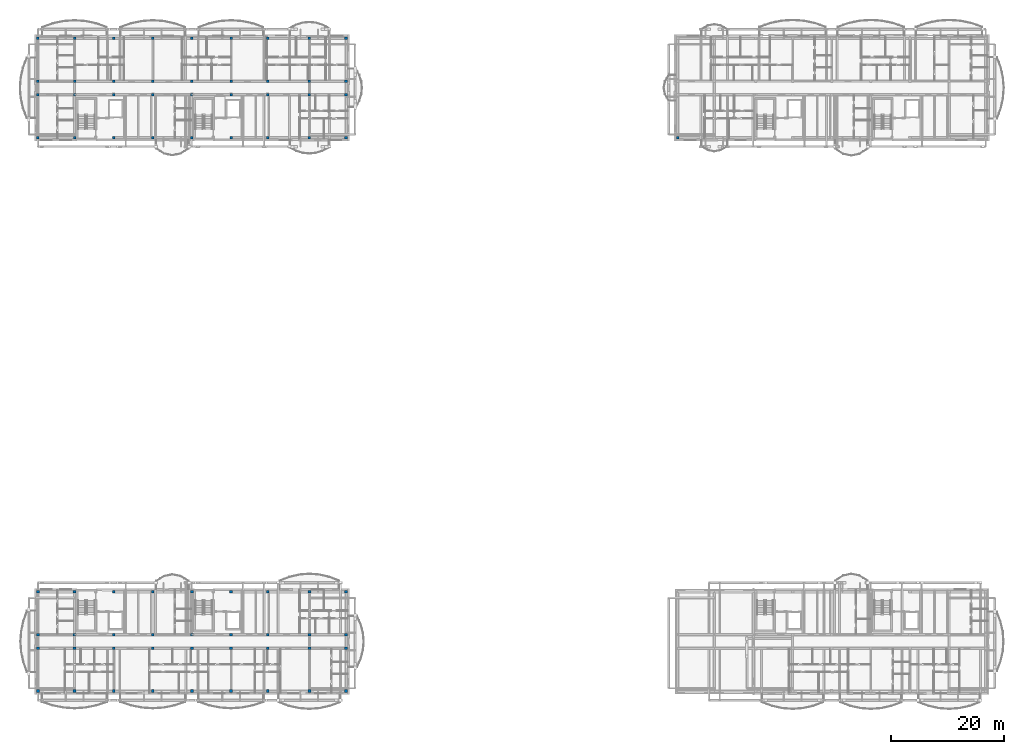
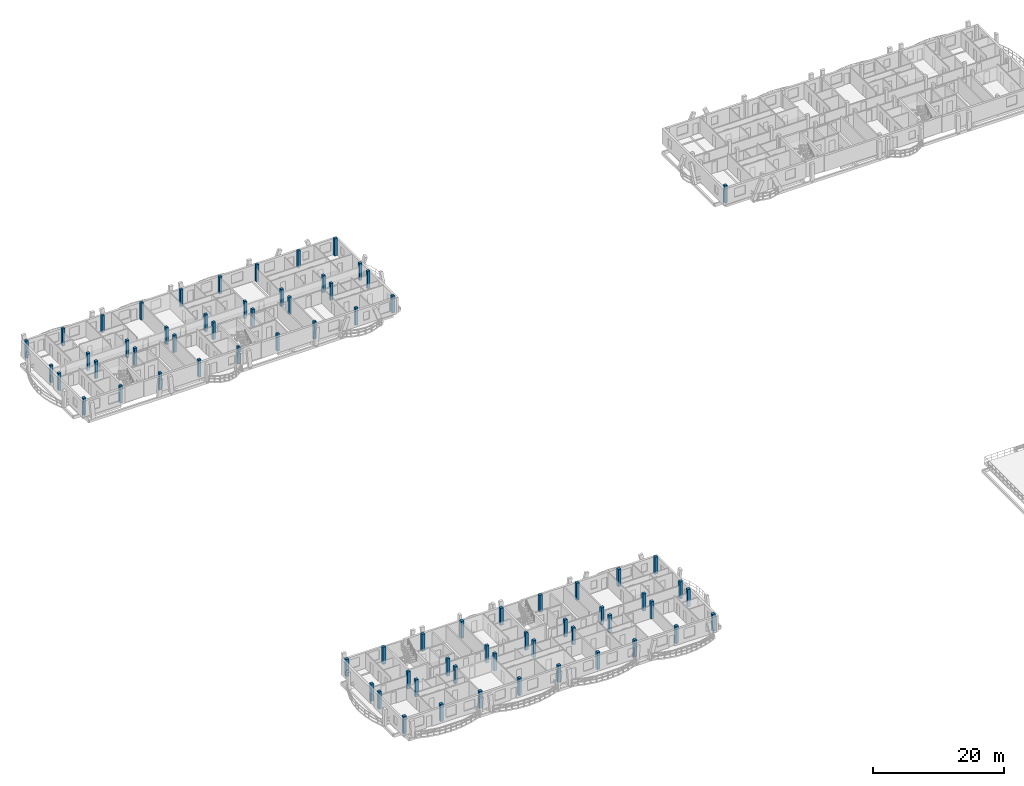
# One storey, part 1 of 48: 73 columns.
"""IFC4 building model written with IfcOpenShell, lengths in metres."""

from ifc_helpers import new_model, si_unit, direction, frame, origin, origin_2d, place, context, subcontext, project, spatial, rectangle, extrude, material, material_profile, profile_set, type_object, element, save


model = new_model("IFC4")

# Units and contexts
model_context = context("Model", 3, precision=1e-05, world=origin(), true_north=direction((0.0, 1.0)))
body_context = subcontext(model_context, "Body", "Model", "MODEL_VIEW")
ifc_project = project(units=[si_unit("LENGTHUNIT", "METRE"), si_unit("AREAUNIT", "SQUARE_METRE"), si_unit("VOLUMEUNIT", "CUBIC_METRE"), si_unit("PLANEANGLEUNIT", "RADIAN"), si_unit("MASSUNIT", "GRAM", prefix="KILO")], contexts=[model_context])

# Site, building, storey
site_placement = place(None, origin())
site = spatial("IfcSite", under=ifc_project, at=site_placement, CompositionType="ELEMENT")
building_placement = place(site_placement, origin())
building = spatial("IfcBuilding", under=site, at=building_placement, Name="Zavelmont Quarter", CompositionType="ELEMENT")
storey_placement = place(building_placement, frame((0.0, 0.0, 17.60009765625)))
storey = spatial("IfcBuildingStorey", under=building, at=storey_placement, Name="L05", CompositionType="ELEMENT", Elevation=17.60009765625)

# Columns
ifc_material_1 = material(Name="Concrete C40/50", Category="concrete")
ifc_material_profile_1 = material_profile(ifc_material_1, rectangle(XDim=0.5, YDim=0.5, at=origin_2d()), Name="RC500X500")
ifc_profile_set_1 = profile_set([ifc_material_profile_1], Name="Concrete C40/50")
column_type_1 = type_object("IfcColumnType", Name="CL03", PredefinedType="COLUMN", material=ifc_profile_set_1)
for number, where, z_axis, x_axis, name in (
    (1, (0.43994140625, 0.43994140625, 0.0), (0.0, 0.0, 1.0), (1.0, 0.0, 0.0), "L05 column CL03 at 1/A"),
    (2, (0.43994140625, 8.0, 0.0), (0.0, 0.0, 1.0), (1.0, 0.0, 0.0), "L05 column CL03 at 1/B"),
    (3, (0.43994140625, 10.39990234375, 0.0), (0.0, 0.0, 1.0), (1.0, 0.0, 0.0), "L05 column CL03 at 1/C"),
    (4, (0.43994140625, 17.9599609375, 0.0), (0.0, 0.0, 1.0), (1.0, 0.0, 0.0), "L05 column CL03 at 1/D"),
    (5, (6.89990234375, 0.43994140625, 0.0), (0.0, 0.0, 1.0), (1.0, 0.0, 0.0), "L05 column CL03 at 2/A"),
    (6, (6.89990234375, 8.0, 0.0), (0.0, 0.0, 1.0), (1.0, 0.0, 0.0), "L05 column CL03 at 2/B"),
    (7, (6.89990234375, 10.39990234375, 0.0), (0.0, 0.0, 1.0), (1.0, 0.0, 0.0), "L05 column CL03 at 2/C"),
    (8, (6.89990234375, 17.9599609375, 0.0), (0.0, 0.0, 1.0), (1.0, 0.0, 0.0), "L05 column CL03 at 2/D"),
    (9, (13.800048828125, 0.43994140625, 0.0), (0.0, 0.0, 1.0), (1.0, 0.0, 0.0), "L05 column CL03 at 3/A"),
    (10, (13.800048828125, 8.0, 0.0), (0.0, 0.0, 1.0), (1.0, 0.0, 0.0), "L05 column CL03 at 3/B"),
    (11, (13.800048828125, 10.39990234375, 0.0), (0.0, 0.0, 1.0), (1.0, 0.0, 0.0), "L05 column CL03 at 3/C"),
    (12, (13.800048828125, 17.9599609375, 0.0), (0.0, 0.0, 1.0), (1.0, 0.0, 0.0), "L05 column CL03 at 3/D"),
    (13, (20.699951171875, 0.43994140625, 0.0), (0.0, 0.0, 1.0), (1.0, 0.0, 0.0), "L05 column CL03 at 4/A"),
    (14, (20.699951171875, 8.0, 0.0), (0.0, 0.0, 1.0), (1.0, 0.0, 0.0), "L05 column CL03 at 4/B"),
    (15, (20.699951171875, 10.39990234375, 0.0), (0.0, 0.0, 1.0), (1.0, 0.0, 0.0), "L05 column CL03 at 4/C"),
    (16, (20.699951171875, 17.9599609375, 0.0), (0.0, 0.0, 1.0), (1.0, 0.0, 0.0), "L05 column CL03 at 4/D"),
    (17, (27.60009765625, 0.43994140625, 0.0), (0.0, 0.0, 1.0), (1.0, 0.0, 0.0), "L05 column CL03 at 5/A"),
    (18, (27.60009765625, 8.0, 0.0), (0.0, 0.0, 1.0), (1.0, 0.0, 0.0), "L05 column CL03 at 5/B"),
    (19, (27.60009765625, 10.39990234375, 0.0), (0.0, 0.0, 1.0), (1.0, 0.0, 0.0), "L05 column CL03 at 5/C"),
    (20, (27.60009765625, 17.9599609375, 0.0), (0.0, 0.0, 1.0), (1.0, 0.0, 0.0), "L05 column CL03 at 5/D"),
    (21, (34.5, 0.43994140625, 0.0), (0.0, 0.0, 1.0), (1.0, 0.0, 0.0), "L05 column CL03 at 6/A"),
    (22, (34.5, 8.0, 0.0), (0.0, 0.0, 1.0), (1.0, 0.0, 0.0), "L05 column CL03 at 6/B"),
    (23, (34.5, 10.39990234375, 0.0), (0.0, 0.0, 1.0), (1.0, 0.0, 0.0), "L05 column CL03 at 6/C"),
    (24, (34.5, 17.9599609375, 0.0), (0.0, 0.0, 1.0), (1.0, 0.0, 0.0), "L05 column CL03 at 6/D"),
    (25, (40.9599609375, 0.43994140625, 0.0), (0.0, 0.0, 1.0), (1.0, 0.0, 0.0), "L05 column CL03 at 7/A"),
    (26, (40.9599609375, 8.0, 0.0), (0.0, 0.0, 1.0), (1.0, 0.0, 0.0), "L05 column CL03 at 7/B"),
    (27, (40.9599609375, 10.39990234375, 0.0), (0.0, 0.0, 1.0), (1.0, 0.0, 0.0), "L05 column CL03 at 7/C"),
    (28, (40.9599609375, 17.9599609375, 0.0), (0.0, 0.0, 1.0), (1.0, 0.0, 0.0), "L05 column CL03 at 7/D"),
    (29, (48.300048828125, 0.43994140625, 0.0), (0.0, 0.0, 1.0), (1.0, 0.0, 0.0), "L05 column CL03 at 8/A"),
    (30, (48.300048828125, 8.0, 0.0), (0.0, 0.0, 1.0), (1.0, 0.0, 0.0), "L05 column CL03 at 8/B"),
    (31, (48.300048828125, 10.39990234375, 0.0), (0.0, 0.0, 1.0), (1.0, 0.0, 0.0), "L05 column CL03 at 8/C"),
    (32, (48.300048828125, 17.9599609375, 0.0), (0.0, 0.0, 1.0), (1.0, 0.0, 0.0), "L05 column CL03 at 8/D"),
    (33, (54.760009765625, 0.43994140625, 0.0), (0.0, 0.0, 1.0), (1.0, 0.0, 0.0), "L05 column CL03 at 9/A"),
    (34, (54.760009765625, 8.0, 0.0), (0.0, 0.0, 1.0), (1.0, 0.0, 0.0), "L05 column CL03 at 9/B"),
    (35, (54.760009765625, 10.39990234375, 0.0), (0.0, 0.0, 1.0), (1.0, 0.0, 0.0), "L05 column CL03 at 9/C"),
    (36, (54.760009765625, 17.9599609375, 0.0), (0.0, 0.0, 1.0), (1.0, 0.0, 0.0), "L05 column CL03 at 9/D"),
):
    element("IfcColumn", number, at=place(storey_placement, frame(where, z_axis=z_axis, x_axis=x_axis)), inside=storey, type_object=column_type_1, Name=name, PredefinedType="COLUMN", context=body_context, shape_type="SweptSolid", body=[
        extrude(rectangle(XDim=0.5, YDim=0.5, at=origin_2d()), origin(), (0.0, 0.0, 1.0), 3.199951171875),
    ])
ifc_material_2 = material(Name="Concrete C35/45", Category="concrete")
ifc_material_profile_2 = material_profile(ifc_material_2, rectangle(XDim=0.449951171875, YDim=0.449951171875, at=origin_2d()), Name="RC450X450")
ifc_profile_set_2 = profile_set([ifc_material_profile_2], Name="Concrete C35/45")
column_type_2 = type_object("IfcColumnType", Name="CL04", PredefinedType="COLUMN", material=ifc_profile_set_2)
for number, where, z_axis, x_axis, name in (
    (37, (0.43994140625, 98.0400390625, 0.0), (0.0, 0.0, 1.0), (1.0, 0.0, 0.0), "L05 column CL04 at 1/P"),
    (38, (0.43994140625, 105.60009765625, 0.0), (0.0, 0.0, 1.0), (1.0, 0.0, 0.0), "L05 column CL04 at 1/Q"),
    (39, (0.43994140625, 108.0, 0.0), (0.0, 0.0, 1.0), (1.0, 0.0, 0.0), "L05 column CL04 at 1/R"),
    (40, (0.43994140625, 115.56005859375, 0.0), (0.0, 0.0, 1.0), (1.0, 0.0, 0.0), "L05 column CL04 at 1/S"),
    (41, (6.89990234375, 98.0400390625, 0.0), (0.0, 0.0, 1.0), (1.0, 0.0, 0.0), "L05 column CL04 at 2/P"),
    (42, (6.89990234375, 105.60009765625, 0.0), (0.0, 0.0, 1.0), (1.0, 0.0, 0.0), "L05 column CL04 at 2/Q"),
    (43, (6.89990234375, 108.0, 0.0), (0.0, 0.0, 1.0), (1.0, 0.0, 0.0), "L05 column CL04 at 2/R"),
    (44, (6.89990234375, 115.56005859375, 0.0), (0.0, 0.0, 1.0), (1.0, 0.0, 0.0), "L05 column CL04 at 2/S"),
    (45, (13.800048828125, 98.0400390625, 0.0), (0.0, 0.0, 1.0), (1.0, 0.0, 0.0), "L05 column CL04 at 3/P"),
    (46, (13.800048828125, 105.60009765625, 0.0), (0.0, 0.0, 1.0), (1.0, 0.0, 0.0), "L05 column CL04 at 3/Q"),
    (47, (13.800048828125, 108.0, 0.0), (0.0, 0.0, 1.0), (1.0, 0.0, 0.0), "L05 column CL04 at 3/R"),
    (48, (13.800048828125, 115.56005859375, 0.0), (0.0, 0.0, 1.0), (1.0, 0.0, 0.0), "L05 column CL04 at 3/S"),
    (49, (20.699951171875, 98.0400390625, 0.0), (0.0, 0.0, 1.0), (1.0, 0.0, 0.0), "L05 column CL04 at 4/P"),
    (50, (20.699951171875, 105.60009765625, 0.0), (0.0, 0.0, 1.0), (1.0, 0.0, 0.0), "L05 column CL04 at 4/Q"),
    (51, (20.699951171875, 108.0, 0.0), (0.0, 0.0, 1.0), (1.0, 0.0, 0.0), "L05 column CL04 at 4/R"),
    (52, (20.699951171875, 115.56005859375, 0.0), (0.0, 0.0, 1.0), (1.0, 0.0, 0.0), "L05 column CL04 at 4/S"),
    (53, (27.60009765625, 98.0400390625, 0.0), (0.0, 0.0, 1.0), (1.0, 0.0, 0.0), "L05 column CL04 at 5/P"),
    (54, (27.60009765625, 105.60009765625, 0.0), (0.0, 0.0, 1.0), (1.0, 0.0, 0.0), "L05 column CL04 at 5/Q"),
    (55, (27.60009765625, 108.0, 0.0), (0.0, 0.0, 1.0), (1.0, 0.0, 0.0), "L05 column CL04 at 5/R"),
    (56, (27.60009765625, 115.56005859375, 0.0), (0.0, 0.0, 1.0), (1.0, 0.0, 0.0), "L05 column CL04 at 5/S"),
    (57, (34.5, 98.0400390625, 0.0), (0.0, 0.0, 1.0), (1.0, 0.0, 0.0), "L05 column CL04 at 6/P"),
    (58, (34.5, 105.60009765625, 0.0), (0.0, 0.0, 1.0), (1.0, 0.0, 0.0), "L05 column CL04 at 6/Q"),
    (59, (34.5, 108.0, 0.0), (0.0, 0.0, 1.0), (1.0, 0.0, 0.0), "L05 column CL04 at 6/R"),
    (60, (34.5, 115.56005859375, 0.0), (0.0, 0.0, 1.0), (1.0, 0.0, 0.0), "L05 column CL04 at 6/S"),
    (61, (40.9599609375, 98.0400390625, 0.0), (0.0, 0.0, 1.0), (1.0, 0.0, 0.0), "L05 column CL04 at 7/P"),
    (62, (40.9599609375, 105.60009765625, 0.0), (0.0, 0.0, 1.0), (1.0, 0.0, 0.0), "L05 column CL04 at 7/Q"),
    (63, (40.9599609375, 108.0, 0.0), (0.0, 0.0, 1.0), (1.0, 0.0, 0.0), "L05 column CL04 at 7/R"),
    (64, (40.9599609375, 115.56005859375, 0.0), (0.0, 0.0, 1.0), (1.0, 0.0, 0.0), "L05 column CL04 at 7/S"),
    (65, (48.300048828125, 98.0400390625, 0.0), (0.0, 0.0, 1.0), (1.0, 0.0, 0.0), "L05 column CL04 at 8/P"),
    (66, (48.300048828125, 105.60009765625, 0.0), (0.0, 0.0, 1.0), (1.0, 0.0, 0.0), "L05 column CL04 at 8/Q"),
    (67, (48.300048828125, 108.0, 0.0), (0.0, 0.0, 1.0), (1.0, 0.0, 0.0), "L05 column CL04 at 8/R"),
    (68, (48.300048828125, 115.56005859375, 0.0), (0.0, 0.0, 1.0), (1.0, 0.0, 0.0), "L05 column CL04 at 8/S"),
    (69, (54.760009765625, 98.0400390625, 0.0), (0.0, 0.0, 1.0), (1.0, 0.0, 0.0), "L05 column CL04 at 9/P"),
    (70, (54.760009765625, 105.60009765625, 0.0), (0.0, 0.0, 1.0), (1.0, 0.0, 0.0), "L05 column CL04 at 9/Q"),
    (71, (54.760009765625, 108.0, 0.0), (0.0, 0.0, 1.0), (1.0, 0.0, 0.0), "L05 column CL04 at 9/R"),
    (72, (54.760009765625, 115.56005859375, 0.0), (0.0, 0.0, 1.0), (1.0, 0.0, 0.0), "L05 column CL04 at 9/S"),
    (73, (113.239990234375, 98.0400390625, 0.0), (0.0, 0.0, 1.0), (1.0, 0.0, 0.0), "L05 column CL04 at 17/P"),
):
    element("IfcColumn", number, at=place(storey_placement, frame(where, z_axis=z_axis, x_axis=x_axis)), inside=storey, type_object=column_type_2, Name=name, PredefinedType="COLUMN", context=body_context, shape_type="SweptSolid", body=[
        extrude(rectangle(XDim=0.449951171875, YDim=0.449951171875, at=origin_2d()), origin(), (0.0, 0.0, 1.0), 3.199951171875),
    ])

save(model, "model.ifc")
